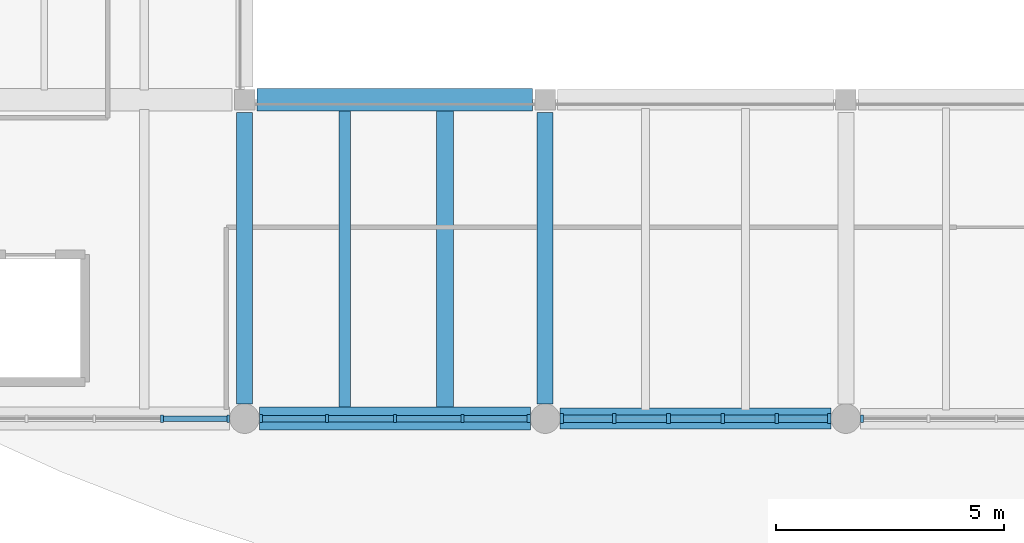
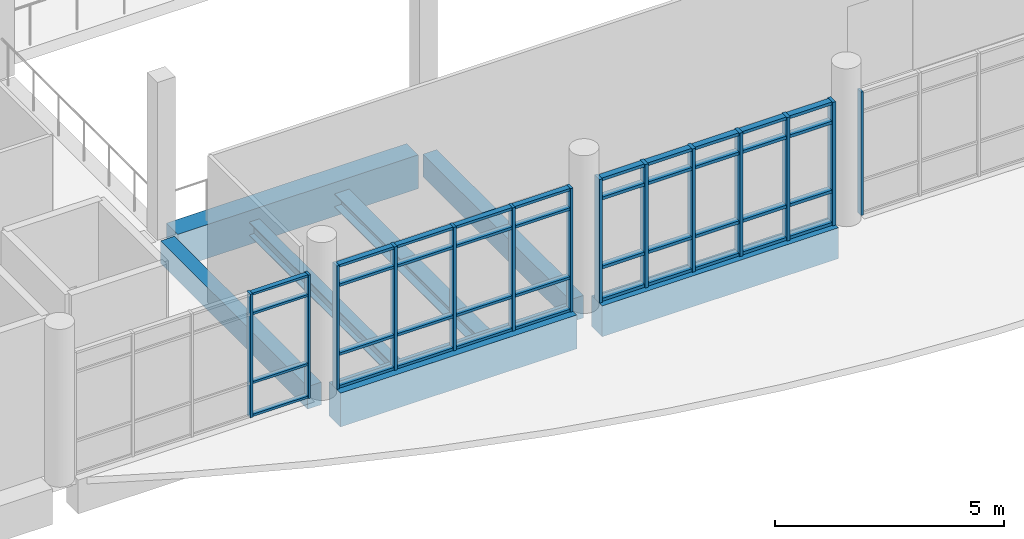
# One storey, part 8 of 92: 54 members, 7 beams, 4 elements without a shape of their own.
"""IFC4 building model written with IfcOpenShell, lengths in metres."""

from ifc_helpers import new_model, si_unit, direction, frame, origin, origin_2d, place, context, subcontext, project, spatial, rectangle, i_section, extrude, material, material_profile, profile_set, type_object, element, aggregate, save


model = new_model("IFC4")

# Units and contexts
model_context = context("Model", 3, precision=1e-05, world=origin(), true_north=direction((0.0, 1.0)))
body_context = subcontext(model_context, "Body", "Model", "MODEL_VIEW")
ifc_project = project(units=[si_unit("LENGTHUNIT", "METRE"), si_unit("AREAUNIT", "SQUARE_METRE"), si_unit("VOLUMEUNIT", "CUBIC_METRE"), si_unit("PLANEANGLEUNIT", "RADIAN"), si_unit("MASSUNIT", "GRAM", prefix="KILO")], contexts=[model_context])

# Site, building, storey
site_placement = place(None, origin())
site = spatial("IfcSite", under=ifc_project, at=site_placement, CompositionType="ELEMENT")
building_placement = place(site_placement, origin())
building = spatial("IfcBuilding", under=site, at=building_placement, Name="Ciguamira Faculty of Natural Sciences", CompositionType="ELEMENT")
storey_placement = place(building_placement, frame((0.0, 0.0, 16.800048828125)))
storey = spatial("IfcBuildingStorey", under=building, at=storey_placement, Name="L04", CompositionType="ELEMENT", Elevation=16.800048828125)

# Curtain wall, members
ifc_material_1 = material(Name="Anodized aluminium curtain wall", Category="aluminium")
curtain_wall_type_1 = type_object("IfcCurtainWallType", Name="CurtainWall_CW-10", PredefinedType="USERDEFINED", material=ifc_material_1)
curtain_wall_1_placement = place(storey_placement, origin())
curtain_wall_1 = element("IfcCurtainWall", 1, at=curtain_wall_1_placement, inside=storey, type_object=curtain_wall_type_1, Name="L04 unitised curtain wall 0106", ObjectType="UNITISED CURTAIN WALL", PredefinedType="USERDEFINED")
ifc_material_2 = material(Name="Anodized aluminium mullion", Category="aluminium")
ifc_material_profile_1 = material_profile(ifc_material_2, rectangle(XDim=0.06005859375, YDim=0.159912109375, at=origin_2d()), Name="ALU-MUL-60X160")
ifc_profile_set_1 = profile_set([ifc_material_profile_1], Name="Anodized aluminium mullion")
member_type_1 = type_object("IfcMemberType", Name="CWMullion_CWM-01", PredefinedType="MULLION", material=ifc_profile_set_1)
member_1_placement = place(storey_placement, frame((68.6875, 10.0, 0.0), z_axis=(0.0, 0.0, 1.0), x_axis=(1.0, 0.0, 0.0)))
member_1 = element("IfcMember", 2, at=member_1_placement, type_object=member_type_1, Name="CW-10 mullion 4", PredefinedType="MULLION", context=body_context, shape_type="SweptSolid", body=[
    extrude(rectangle(XDim=0.06005859375, YDim=0.159912109375, at=origin_2d()), origin(), (0.0, 0.0, 1.0), 3.284912109375),
])
member_2_placement = place(storey_placement, frame((70.14501953125, 10.0, 0.0), z_axis=(0.0, 0.0, 1.0), x_axis=(1.0, 0.0, 0.0)))
member_2 = element("IfcMember", 3, at=member_2_placement, type_object=member_type_1, Name="CW-10 mullion 5", PredefinedType="MULLION", context=body_context, shape_type="SweptSolid", body=[
    extrude(rectangle(XDim=0.06005859375, YDim=0.159912109375, at=origin_2d()), origin(), (0.0, 0.0, 1.0), 3.284912109375),
])

# Curtain wall, member
curtain_wall_type_2 = type_object("IfcCurtainWallType", Name="CurtainWall_CW-01", PredefinedType="USERDEFINED", material=ifc_material_1)
curtain_wall_2_placement = place(storey_placement, origin())
curtain_wall_2 = element("IfcCurtainWall", 4, at=curtain_wall_2_placement, inside=storey, type_object=curtain_wall_type_2, Name="L04 unitised curtain wall 0109", ObjectType="UNITISED CURTAIN WALL", PredefinedType="USERDEFINED")
member_3_placement = place(storey_placement, frame((84.054931640625, 10.0, 0.0), z_axis=(0.0, 0.0, 1.0), x_axis=(1.0, 0.0, 0.0)))
member_3 = element("IfcMember", 5, at=member_3_placement, type_object=member_type_1, Name="CW-01 mullion 1", PredefinedType="MULLION", context=body_context, shape_type="SweptSolid", body=[
    extrude(rectangle(XDim=0.06005859375, YDim=0.159912109375, at=origin_2d()), origin(), (0.0, 0.0, 1.0), 3.284912109375),
])
aggregate(curtain_wall_2, [member_3])

# Curtain wall, members
curtain_wall_type_3 = type_object("IfcCurtainWallType", Name="CurtainWall_CW-11", PredefinedType="USERDEFINED", material=ifc_material_1)
curtain_wall_3_placement = place(storey_placement, origin())
curtain_wall_3 = element("IfcCurtainWall", 6, at=curtain_wall_3_placement, inside=storey, type_object=curtain_wall_type_3, Name="L04 unitised curtain wall 0107", ObjectType="UNITISED CURTAIN WALL", PredefinedType="USERDEFINED")
ifc_material_profile_2 = material_profile(ifc_material_2, rectangle(XDim=0.070068359375, YDim=0.179931640625, at=origin_2d()), Name="ALU-MUL-70X180")
ifc_profile_set_2 = profile_set([ifc_material_profile_2], Name="Anodized aluminium mullion")
member_type_2 = type_object("IfcMemberType", Name="CWMullion_CWM-02", PredefinedType="MULLION", material=ifc_profile_set_2)
member_4_placement = place(storey_placement, frame((70.860107421875, 10.0, 0.0), z_axis=(0.0, 0.0, 1.0), x_axis=(1.0, 0.0, 0.0)))
member_4 = element("IfcMember", 7, at=member_4_placement, type_object=member_type_2, Name="CW-11 mullion 1", PredefinedType="MULLION", context=body_context, shape_type="SweptSolid", body=[
    extrude(rectangle(XDim=0.070068359375, YDim=0.179931640625, at=origin_2d()), origin(), (0.0, 0.0, 1.0), 3.284912109375),
])
member_5_placement = place(storey_placement, frame((72.3125, 10.0, 0.0), z_axis=(0.0, 0.0, 1.0), x_axis=(1.0, 0.0, 0.0)))
member_5 = element("IfcMember", 8, at=member_5_placement, type_object=member_type_2, Name="CW-11 mullion 2", PredefinedType="MULLION", context=body_context, shape_type="SweptSolid", body=[
    extrude(rectangle(XDim=0.070068359375, YDim=0.179931640625, at=origin_2d()), origin(), (0.0, 0.0, 1.0), 3.284912109375),
])
member_6_placement = place(storey_placement, frame((73.800048828125, 10.0, 0.0), z_axis=(0.0, 0.0, 1.0), x_axis=(1.0, 0.0, 0.0)))
member_6 = element("IfcMember", 9, at=member_6_placement, type_object=member_type_2, Name="CW-11 mullion 3", PredefinedType="MULLION", context=body_context, shape_type="SweptSolid", body=[
    extrude(rectangle(XDim=0.070068359375, YDim=0.179931640625, at=origin_2d()), origin(), (0.0, 0.0, 1.0), 3.284912109375),
])
member_7_placement = place(storey_placement, frame((75.28759765625, 10.0, 0.0), z_axis=(0.0, 0.0, 1.0), x_axis=(1.0, 0.0, 0.0)))
member_7 = element("IfcMember", 10, at=member_7_placement, type_object=member_type_2, Name="CW-11 mullion 4", PredefinedType="MULLION", context=body_context, shape_type="SweptSolid", body=[
    extrude(rectangle(XDim=0.070068359375, YDim=0.179931640625, at=origin_2d()), origin(), (0.0, 0.0, 1.0), 3.284912109375),
])
member_8_placement = place(storey_placement, frame((76.739990234375, 10.0, 0.0), z_axis=(0.0, 0.0, 1.0), x_axis=(1.0, 0.0, 0.0)))
member_8 = element("IfcMember", 11, at=member_8_placement, type_object=member_type_2, Name="CW-11 mullion 5", PredefinedType="MULLION", context=body_context, shape_type="SweptSolid", body=[
    extrude(rectangle(XDim=0.070068359375, YDim=0.179931640625, at=origin_2d()), origin(), (0.0, 0.0, 1.0), 3.284912109375),
])

curtain_wall_type_4 = type_object("IfcCurtainWallType", Name="CurtainWall_CW-12", PredefinedType="USERDEFINED", material=ifc_material_1)
curtain_wall_4_placement = place(storey_placement, origin())
curtain_wall_4 = element("IfcCurtainWall", 12, at=curtain_wall_4_placement, inside=storey, type_object=curtain_wall_type_4, Name="L04 unitised curtain wall 0108", ObjectType="UNITISED CURTAIN WALL", PredefinedType="USERDEFINED")
ifc_material_profile_3 = material_profile(ifc_material_2, rectangle(XDim=0.080078125, YDim=0.219970703125, at=origin_2d()), Name="ALU-MUL-80X220")
ifc_profile_set_3 = profile_set([ifc_material_profile_3], Name="Anodized aluminium mullion")
member_type_3 = type_object("IfcMemberType", Name="CWMullion_CWM-03", PredefinedType="MULLION", material=ifc_profile_set_3)
member_9_placement = place(storey_placement, frame((77.465087890625, 10.0, 0.0), z_axis=(0.0, 0.0, 1.0), x_axis=(1.0, 0.0, 0.0)))
member_9 = element("IfcMember", 13, at=member_9_placement, type_object=member_type_3, Name="CW-12 mullion 1", PredefinedType="MULLION", context=body_context, shape_type="SweptSolid", body=[
    extrude(rectangle(XDim=0.080078125, YDim=0.219970703125, at=origin_2d()), origin(), (0.0, 0.0, 1.0), 3.284912109375),
])
member_10_placement = place(storey_placement, frame((78.614990234375, 10.0, 0.0), z_axis=(0.0, 0.0, 1.0), x_axis=(1.0, 0.0, 0.0)))
member_10 = element("IfcMember", 14, at=member_10_placement, type_object=member_type_3, Name="CW-12 mullion 2", PredefinedType="MULLION", context=body_context, shape_type="SweptSolid", body=[
    extrude(rectangle(XDim=0.080078125, YDim=0.219970703125, at=origin_2d()), origin(), (0.0, 0.0, 1.0), 3.284912109375),
])
member_11_placement = place(storey_placement, frame((79.804931640625, 10.0, 0.0), z_axis=(0.0, 0.0, 1.0), x_axis=(1.0, 0.0, 0.0)))
member_11 = element("IfcMember", 15, at=member_11_placement, type_object=member_type_3, Name="CW-12 mullion 3", PredefinedType="MULLION", context=body_context, shape_type="SweptSolid", body=[
    extrude(rectangle(XDim=0.080078125, YDim=0.219970703125, at=origin_2d()), origin(), (0.0, 0.0, 1.0), 3.284912109375),
])
member_12_placement = place(storey_placement, frame((80.9951171875, 10.0, 0.0), z_axis=(0.0, 0.0, 1.0), x_axis=(1.0, 0.0, 0.0)))
member_12 = element("IfcMember", 16, at=member_12_placement, type_object=member_type_3, Name="CW-12 mullion 4", PredefinedType="MULLION", context=body_context, shape_type="SweptSolid", body=[
    extrude(rectangle(XDim=0.080078125, YDim=0.219970703125, at=origin_2d()), origin(), (0.0, 0.0, 1.0), 3.284912109375),
])
member_13_placement = place(storey_placement, frame((82.18505859375, 10.0, 0.0), z_axis=(0.0, 0.0, 1.0), x_axis=(1.0, 0.0, 0.0)))
member_13 = element("IfcMember", 17, at=member_13_placement, type_object=member_type_3, Name="CW-12 mullion 5", PredefinedType="MULLION", context=body_context, shape_type="SweptSolid", body=[
    extrude(rectangle(XDim=0.080078125, YDim=0.219970703125, at=origin_2d()), origin(), (0.0, 0.0, 1.0), 3.284912109375),
])
member_14_placement = place(storey_placement, frame((83.3349609375, 10.0, 0.0), z_axis=(0.0, 0.0, 1.0), x_axis=(1.0, 0.0, 0.0)))
member_14 = element("IfcMember", 18, at=member_14_placement, type_object=member_type_3, Name="CW-12 mullion 6", PredefinedType="MULLION", context=body_context, shape_type="SweptSolid", body=[
    extrude(rectangle(XDim=0.080078125, YDim=0.219970703125, at=origin_2d()), origin(), (0.0, 0.0, 1.0), 3.284912109375),
])

# Member
ifc_material_3 = material(Name="Anodized aluminium transom", Category="aluminium")
ifc_material_profile_4 = material_profile(ifc_material_3, rectangle(XDim=0.06005859375, YDim=0.1201171875, at=origin_2d()), Name="ALU-TRN-60X120")
ifc_profile_set_4 = profile_set([ifc_material_profile_4], Name="Anodized aluminium transom")
member_type_4 = type_object("IfcMemberType", Name="CWTransom_CWT-01", PredefinedType="USERDEFINED", material=ifc_profile_set_4)
member_15_placement = place(storey_placement, frame((68.717529296875, 10.0, 0.030029296875), z_axis=(1.0, 0.0, 0.0), x_axis=(0.0, 0.0, 1.0)))
member_15 = element("IfcMember", 19, at=member_15_placement, type_object=member_type_4, Name="CW-10 transom 4.1", ObjectType="TRANSOM", PredefinedType="USERDEFINED", context=body_context, shape_type="SweptSolid", body=[
    extrude(rectangle(XDim=0.06005859375, YDim=0.1201171875, at=origin_2d()), origin(), (0.0, 0.0, 1.0), 1.3974609375),
])

member_16_placement = place(storey_placement, frame((68.717529296875, 10.0, 0.89990234375), z_axis=(1.0, 0.0, 0.0), x_axis=(0.0, 0.0, 1.0)))
member_16 = element("IfcMember", 20, at=member_16_placement, type_object=member_type_4, Name="CW-10 transom 4.2", ObjectType="TRANSOM", PredefinedType="USERDEFINED", context=body_context, shape_type="SweptSolid", body=[
    extrude(rectangle(XDim=0.06005859375, YDim=0.1201171875, at=origin_2d()), origin(), (0.0, 0.0, 1.0), 1.3974609375),
])

member_17_placement = place(storey_placement, frame((68.717529296875, 10.0, 2.73486328125), z_axis=(1.0, 0.0, 0.0), x_axis=(0.0, 0.0, 1.0)))
member_17 = element("IfcMember", 21, at=member_17_placement, type_object=member_type_4, Name="CW-10 transom 4.3", ObjectType="TRANSOM", PredefinedType="USERDEFINED", context=body_context, shape_type="SweptSolid", body=[
    extrude(rectangle(XDim=0.06005859375, YDim=0.1201171875, at=origin_2d()), origin(), (0.0, 0.0, 1.0), 1.3974609375),
])

member_18_placement = place(storey_placement, frame((68.717529296875, 10.0, 3.2548828125), z_axis=(1.0, 0.0, 0.0), x_axis=(0.0, 0.0, 1.0)))
member_18 = element("IfcMember", 22, at=member_18_placement, type_object=member_type_4, Name="CW-10 transom 4.4", ObjectType="TRANSOM", PredefinedType="USERDEFINED", context=body_context, shape_type="SweptSolid", body=[
    extrude(rectangle(XDim=0.06005859375, YDim=0.1201171875, at=origin_2d()), origin(), (0.0, 0.0, 1.0), 1.3974609375),
])

aggregate(curtain_wall_1, [member_1, member_2, member_15, member_16, member_17, member_18])

ifc_material_profile_5 = material_profile(ifc_material_3, rectangle(XDim=0.070068359375, YDim=0.139892578125, at=origin_2d()), Name="ALU-TRN-70X140")
ifc_profile_set_5 = profile_set([ifc_material_profile_5], Name="Anodized aluminium transom")
member_type_5 = type_object("IfcMemberType", Name="CWTransom_CWT-02", PredefinedType="USERDEFINED", material=ifc_profile_set_5)
member_19_placement = place(storey_placement, frame((70.89501953125, 10.0, 0.034912109375), z_axis=(1.0, 0.0, 0.0), x_axis=(0.0, 0.0, 1.0)))
member_19 = element("IfcMember", 23, at=member_19_placement, type_object=member_type_5, Name="CW-11 transom 1.1", ObjectType="TRANSOM", PredefinedType="USERDEFINED", context=body_context, shape_type="SweptSolid", body=[
    extrude(rectangle(XDim=0.070068359375, YDim=0.139892578125, at=origin_2d()), origin(), (0.0, 0.0, 1.0), 1.382568359375),
])

member_20_placement = place(storey_placement, frame((70.89501953125, 10.0, 0.89990234375), z_axis=(1.0, 0.0, 0.0), x_axis=(0.0, 0.0, 1.0)))
member_20 = element("IfcMember", 24, at=member_20_placement, type_object=member_type_5, Name="CW-11 transom 1.2", ObjectType="TRANSOM", PredefinedType="USERDEFINED", context=body_context, shape_type="SweptSolid", body=[
    extrude(rectangle(XDim=0.070068359375, YDim=0.139892578125, at=origin_2d()), origin(), (0.0, 0.0, 1.0), 1.382568359375),
])

member_21_placement = place(storey_placement, frame((70.89501953125, 10.0, 2.73486328125), z_axis=(1.0, 0.0, 0.0), x_axis=(0.0, 0.0, 1.0)))
member_21 = element("IfcMember", 25, at=member_21_placement, type_object=member_type_5, Name="CW-11 transom 1.3", ObjectType="TRANSOM", PredefinedType="USERDEFINED", context=body_context, shape_type="SweptSolid", body=[
    extrude(rectangle(XDim=0.070068359375, YDim=0.139892578125, at=origin_2d()), origin(), (0.0, 0.0, 1.0), 1.382568359375),
])

member_22_placement = place(storey_placement, frame((70.89501953125, 10.0, 3.25), z_axis=(1.0, 0.0, 0.0), x_axis=(0.0, 0.0, 1.0)))
member_22 = element("IfcMember", 26, at=member_22_placement, type_object=member_type_5, Name="CW-11 transom 1.4", ObjectType="TRANSOM", PredefinedType="USERDEFINED", context=body_context, shape_type="SweptSolid", body=[
    extrude(rectangle(XDim=0.070068359375, YDim=0.139892578125, at=origin_2d()), origin(), (0.0, 0.0, 1.0), 1.382568359375),
])

member_23_placement = place(storey_placement, frame((72.347412109375, 10.0, 0.034912109375), z_axis=(1.0, 0.0, 0.0), x_axis=(0.0, 0.0, 1.0)))
member_23 = element("IfcMember", 27, at=member_23_placement, type_object=member_type_5, Name="CW-11 transom 2.1", ObjectType="TRANSOM", PredefinedType="USERDEFINED", context=body_context, shape_type="SweptSolid", body=[
    extrude(rectangle(XDim=0.070068359375, YDim=0.139892578125, at=origin_2d()), origin(), (0.0, 0.0, 1.0), 1.41748046875),
])

member_24_placement = place(storey_placement, frame((72.347412109375, 10.0, 0.89990234375), z_axis=(1.0, 0.0, 0.0), x_axis=(0.0, 0.0, 1.0)))
member_24 = element("IfcMember", 28, at=member_24_placement, type_object=member_type_5, Name="CW-11 transom 2.2", ObjectType="TRANSOM", PredefinedType="USERDEFINED", context=body_context, shape_type="SweptSolid", body=[
    extrude(rectangle(XDim=0.070068359375, YDim=0.139892578125, at=origin_2d()), origin(), (0.0, 0.0, 1.0), 1.41748046875),
])

member_25_placement = place(storey_placement, frame((72.347412109375, 10.0, 2.73486328125), z_axis=(1.0, 0.0, 0.0), x_axis=(0.0, 0.0, 1.0)))
member_25 = element("IfcMember", 29, at=member_25_placement, type_object=member_type_5, Name="CW-11 transom 2.3", ObjectType="TRANSOM", PredefinedType="USERDEFINED", context=body_context, shape_type="SweptSolid", body=[
    extrude(rectangle(XDim=0.070068359375, YDim=0.139892578125, at=origin_2d()), origin(), (0.0, 0.0, 1.0), 1.41748046875),
])

member_26_placement = place(storey_placement, frame((72.347412109375, 10.0, 3.25), z_axis=(1.0, 0.0, 0.0), x_axis=(0.0, 0.0, 1.0)))
member_26 = element("IfcMember", 30, at=member_26_placement, type_object=member_type_5, Name="CW-11 transom 2.4", ObjectType="TRANSOM", PredefinedType="USERDEFINED", context=body_context, shape_type="SweptSolid", body=[
    extrude(rectangle(XDim=0.070068359375, YDim=0.139892578125, at=origin_2d()), origin(), (0.0, 0.0, 1.0), 1.41748046875),
])

member_27_placement = place(storey_placement, frame((73.8349609375, 10.0, 0.034912109375), z_axis=(1.0, 0.0, 0.0), x_axis=(0.0, 0.0, 1.0)))
member_27 = element("IfcMember", 31, at=member_27_placement, type_object=member_type_5, Name="CW-11 transom 3.1", ObjectType="TRANSOM", PredefinedType="USERDEFINED", context=body_context, shape_type="SweptSolid", body=[
    extrude(rectangle(XDim=0.070068359375, YDim=0.139892578125, at=origin_2d()), origin(), (0.0, 0.0, 1.0), 1.41748046875),
])

member_28_placement = place(storey_placement, frame((73.8349609375, 10.0, 0.89990234375), z_axis=(1.0, 0.0, 0.0), x_axis=(0.0, 0.0, 1.0)))
member_28 = element("IfcMember", 32, at=member_28_placement, type_object=member_type_5, Name="CW-11 transom 3.2", ObjectType="TRANSOM", PredefinedType="USERDEFINED", context=body_context, shape_type="SweptSolid", body=[
    extrude(rectangle(XDim=0.070068359375, YDim=0.139892578125, at=origin_2d()), origin(), (0.0, 0.0, 1.0), 1.41748046875),
])

member_29_placement = place(storey_placement, frame((73.8349609375, 10.0, 2.73486328125), z_axis=(1.0, 0.0, 0.0), x_axis=(0.0, 0.0, 1.0)))
member_29 = element("IfcMember", 33, at=member_29_placement, type_object=member_type_5, Name="CW-11 transom 3.3", ObjectType="TRANSOM", PredefinedType="USERDEFINED", context=body_context, shape_type="SweptSolid", body=[
    extrude(rectangle(XDim=0.070068359375, YDim=0.139892578125, at=origin_2d()), origin(), (0.0, 0.0, 1.0), 1.41748046875),
])

member_30_placement = place(storey_placement, frame((73.8349609375, 10.0, 3.25), z_axis=(1.0, 0.0, 0.0), x_axis=(0.0, 0.0, 1.0)))
member_30 = element("IfcMember", 34, at=member_30_placement, type_object=member_type_5, Name="CW-11 transom 3.4", ObjectType="TRANSOM", PredefinedType="USERDEFINED", context=body_context, shape_type="SweptSolid", body=[
    extrude(rectangle(XDim=0.070068359375, YDim=0.139892578125, at=origin_2d()), origin(), (0.0, 0.0, 1.0), 1.41748046875),
])

member_31_placement = place(storey_placement, frame((75.322509765625, 10.0, 0.034912109375), z_axis=(1.0, 0.0, 0.0), x_axis=(0.0, 0.0, 1.0)))
member_31 = element("IfcMember", 35, at=member_31_placement, type_object=member_type_5, Name="CW-11 transom 4.1", ObjectType="TRANSOM", PredefinedType="USERDEFINED", context=body_context, shape_type="SweptSolid", body=[
    extrude(rectangle(XDim=0.070068359375, YDim=0.139892578125, at=origin_2d()), origin(), (0.0, 0.0, 1.0), 1.382568359375),
])

member_32_placement = place(storey_placement, frame((75.322509765625, 10.0, 0.89990234375), z_axis=(1.0, 0.0, 0.0), x_axis=(0.0, 0.0, 1.0)))
member_32 = element("IfcMember", 36, at=member_32_placement, type_object=member_type_5, Name="CW-11 transom 4.2", ObjectType="TRANSOM", PredefinedType="USERDEFINED", context=body_context, shape_type="SweptSolid", body=[
    extrude(rectangle(XDim=0.070068359375, YDim=0.139892578125, at=origin_2d()), origin(), (0.0, 0.0, 1.0), 1.382568359375),
])

member_33_placement = place(storey_placement, frame((75.322509765625, 10.0, 2.73486328125), z_axis=(1.0, 0.0, 0.0), x_axis=(0.0, 0.0, 1.0)))
member_33 = element("IfcMember", 37, at=member_33_placement, type_object=member_type_5, Name="CW-11 transom 4.3", ObjectType="TRANSOM", PredefinedType="USERDEFINED", context=body_context, shape_type="SweptSolid", body=[
    extrude(rectangle(XDim=0.070068359375, YDim=0.139892578125, at=origin_2d()), origin(), (0.0, 0.0, 1.0), 1.382568359375),
])

member_34_placement = place(storey_placement, frame((75.322509765625, 10.0, 3.25), z_axis=(1.0, 0.0, 0.0), x_axis=(0.0, 0.0, 1.0)))
member_34 = element("IfcMember", 38, at=member_34_placement, type_object=member_type_5, Name="CW-11 transom 4.4", ObjectType="TRANSOM", PredefinedType="USERDEFINED", context=body_context, shape_type="SweptSolid", body=[
    extrude(rectangle(XDim=0.070068359375, YDim=0.139892578125, at=origin_2d()), origin(), (0.0, 0.0, 1.0), 1.382568359375),
])

aggregate(curtain_wall_3, [member_4, member_5, member_6, member_7, member_8, member_19, member_20, member_21, member_22, member_23, member_24, member_25, member_26, member_27, member_28, member_29, member_30, member_31, member_32, member_33, member_34])

ifc_material_profile_6 = material_profile(ifc_material_3, rectangle(XDim=0.080078125, YDim=0.159912109375, at=origin_2d()), Name="ALU-TRN-80X160")
ifc_profile_set_6 = profile_set([ifc_material_profile_6], Name="Anodized aluminium transom")
member_type_6 = type_object("IfcMemberType", Name="CWTransom_CWT-03", PredefinedType="USERDEFINED", material=ifc_profile_set_6)
member_35_placement = place(storey_placement, frame((77.5048828125, 10.0, 0.0400390625), z_axis=(1.0, 0.0, 0.0), x_axis=(0.0, 0.0, 1.0)))
member_35 = element("IfcMember", 39, at=member_35_placement, type_object=member_type_6, Name="CW-12 transom 1.1", ObjectType="TRANSOM", PredefinedType="USERDEFINED", context=body_context, shape_type="SweptSolid", body=[
    extrude(rectangle(XDim=0.080078125, YDim=0.159912109375, at=origin_2d()), origin(), (0.0, 0.0, 1.0), 1.070068359375),
])

member_36_placement = place(storey_placement, frame((77.5048828125, 10.0, 0.89990234375), z_axis=(1.0, 0.0, 0.0), x_axis=(0.0, 0.0, 1.0)))
member_36 = element("IfcMember", 40, at=member_36_placement, type_object=member_type_6, Name="CW-12 transom 1.2", ObjectType="TRANSOM", PredefinedType="USERDEFINED", context=body_context, shape_type="SweptSolid", body=[
    extrude(rectangle(XDim=0.080078125, YDim=0.159912109375, at=origin_2d()), origin(), (0.0, 0.0, 1.0), 1.070068359375),
])

member_37_placement = place(storey_placement, frame((77.5048828125, 10.0, 2.73486328125), z_axis=(1.0, 0.0, 0.0), x_axis=(0.0, 0.0, 1.0)))
member_37 = element("IfcMember", 41, at=member_37_placement, type_object=member_type_6, Name="CW-12 transom 1.3", ObjectType="TRANSOM", PredefinedType="USERDEFINED", context=body_context, shape_type="SweptSolid", body=[
    extrude(rectangle(XDim=0.080078125, YDim=0.159912109375, at=origin_2d()), origin(), (0.0, 0.0, 1.0), 1.070068359375),
])

member_38_placement = place(storey_placement, frame((77.5048828125, 10.0, 3.244873046875), z_axis=(1.0, 0.0, 0.0), x_axis=(0.0, 0.0, 1.0)))
member_38 = element("IfcMember", 42, at=member_38_placement, type_object=member_type_6, Name="CW-12 transom 1.4", ObjectType="TRANSOM", PredefinedType="USERDEFINED", context=body_context, shape_type="SweptSolid", body=[
    extrude(rectangle(XDim=0.080078125, YDim=0.159912109375, at=origin_2d()), origin(), (0.0, 0.0, 1.0), 1.070068359375),
])

member_39_placement = place(storey_placement, frame((78.655029296875, 10.0, 0.0400390625), z_axis=(1.0, 0.0, 0.0), x_axis=(0.0, 0.0, 1.0)))
member_39 = element("IfcMember", 43, at=member_39_placement, type_object=member_type_6, Name="CW-12 transom 2.1", ObjectType="TRANSOM", PredefinedType="USERDEFINED", context=body_context, shape_type="SweptSolid", body=[
    extrude(rectangle(XDim=0.080078125, YDim=0.159912109375, at=origin_2d()), origin(), (0.0, 0.0, 1.0), 1.10986328125),
])

member_40_placement = place(storey_placement, frame((78.655029296875, 10.0, 0.89990234375), z_axis=(1.0, 0.0, 0.0), x_axis=(0.0, 0.0, 1.0)))
member_40 = element("IfcMember", 44, at=member_40_placement, type_object=member_type_6, Name="CW-12 transom 2.2", ObjectType="TRANSOM", PredefinedType="USERDEFINED", context=body_context, shape_type="SweptSolid", body=[
    extrude(rectangle(XDim=0.080078125, YDim=0.159912109375, at=origin_2d()), origin(), (0.0, 0.0, 1.0), 1.10986328125),
])

member_41_placement = place(storey_placement, frame((78.655029296875, 10.0, 2.73486328125), z_axis=(1.0, 0.0, 0.0), x_axis=(0.0, 0.0, 1.0)))
member_41 = element("IfcMember", 45, at=member_41_placement, type_object=member_type_6, Name="CW-12 transom 2.3", ObjectType="TRANSOM", PredefinedType="USERDEFINED", context=body_context, shape_type="SweptSolid", body=[
    extrude(rectangle(XDim=0.080078125, YDim=0.159912109375, at=origin_2d()), origin(), (0.0, 0.0, 1.0), 1.10986328125),
])

member_42_placement = place(storey_placement, frame((78.655029296875, 10.0, 3.244873046875), z_axis=(1.0, 0.0, 0.0), x_axis=(0.0, 0.0, 1.0)))
member_42 = element("IfcMember", 46, at=member_42_placement, type_object=member_type_6, Name="CW-12 transom 2.4", ObjectType="TRANSOM", PredefinedType="USERDEFINED", context=body_context, shape_type="SweptSolid", body=[
    extrude(rectangle(XDim=0.080078125, YDim=0.159912109375, at=origin_2d()), origin(), (0.0, 0.0, 1.0), 1.10986328125),
])

member_43_placement = place(storey_placement, frame((79.844970703125, 10.0, 0.0400390625), z_axis=(1.0, 0.0, 0.0), x_axis=(0.0, 0.0, 1.0)))
member_43 = element("IfcMember", 47, at=member_43_placement, type_object=member_type_6, Name="CW-12 transom 3.1", ObjectType="TRANSOM", PredefinedType="USERDEFINED", context=body_context, shape_type="SweptSolid", body=[
    extrude(rectangle(XDim=0.080078125, YDim=0.159912109375, at=origin_2d()), origin(), (0.0, 0.0, 1.0), 1.110107421875),
])

member_44_placement = place(storey_placement, frame((79.844970703125, 10.0, 0.89990234375), z_axis=(1.0, 0.0, 0.0), x_axis=(0.0, 0.0, 1.0)))
member_44 = element("IfcMember", 48, at=member_44_placement, type_object=member_type_6, Name="CW-12 transom 3.2", ObjectType="TRANSOM", PredefinedType="USERDEFINED", context=body_context, shape_type="SweptSolid", body=[
    extrude(rectangle(XDim=0.080078125, YDim=0.159912109375, at=origin_2d()), origin(), (0.0, 0.0, 1.0), 1.110107421875),
])

member_45_placement = place(storey_placement, frame((79.844970703125, 10.0, 2.73486328125), z_axis=(1.0, 0.0, 0.0), x_axis=(0.0, 0.0, 1.0)))
member_45 = element("IfcMember", 49, at=member_45_placement, type_object=member_type_6, Name="CW-12 transom 3.3", ObjectType="TRANSOM", PredefinedType="USERDEFINED", context=body_context, shape_type="SweptSolid", body=[
    extrude(rectangle(XDim=0.080078125, YDim=0.159912109375, at=origin_2d()), origin(), (0.0, 0.0, 1.0), 1.110107421875),
])

member_46_placement = place(storey_placement, frame((79.844970703125, 10.0, 3.244873046875), z_axis=(1.0, 0.0, 0.0), x_axis=(0.0, 0.0, 1.0)))
member_46 = element("IfcMember", 50, at=member_46_placement, type_object=member_type_6, Name="CW-12 transom 3.4", ObjectType="TRANSOM", PredefinedType="USERDEFINED", context=body_context, shape_type="SweptSolid", body=[
    extrude(rectangle(XDim=0.080078125, YDim=0.159912109375, at=origin_2d()), origin(), (0.0, 0.0, 1.0), 1.110107421875),
])

member_47_placement = place(storey_placement, frame((81.034912109375, 10.0, 0.0400390625), z_axis=(1.0, 0.0, 0.0), x_axis=(0.0, 0.0, 1.0)))
member_47 = element("IfcMember", 51, at=member_47_placement, type_object=member_type_6, Name="CW-12 transom 4.1", ObjectType="TRANSOM", PredefinedType="USERDEFINED", context=body_context, shape_type="SweptSolid", body=[
    extrude(rectangle(XDim=0.080078125, YDim=0.159912109375, at=origin_2d()), origin(), (0.0, 0.0, 1.0), 1.110107421875),
])

member_48_placement = place(storey_placement, frame((81.034912109375, 10.0, 0.89990234375), z_axis=(1.0, 0.0, 0.0), x_axis=(0.0, 0.0, 1.0)))
member_48 = element("IfcMember", 52, at=member_48_placement, type_object=member_type_6, Name="CW-12 transom 4.2", ObjectType="TRANSOM", PredefinedType="USERDEFINED", context=body_context, shape_type="SweptSolid", body=[
    extrude(rectangle(XDim=0.080078125, YDim=0.159912109375, at=origin_2d()), origin(), (0.0, 0.0, 1.0), 1.110107421875),
])

member_49_placement = place(storey_placement, frame((81.034912109375, 10.0, 2.73486328125), z_axis=(1.0, 0.0, 0.0), x_axis=(0.0, 0.0, 1.0)))
member_49 = element("IfcMember", 53, at=member_49_placement, type_object=member_type_6, Name="CW-12 transom 4.3", ObjectType="TRANSOM", PredefinedType="USERDEFINED", context=body_context, shape_type="SweptSolid", body=[
    extrude(rectangle(XDim=0.080078125, YDim=0.159912109375, at=origin_2d()), origin(), (0.0, 0.0, 1.0), 1.110107421875),
])

member_50_placement = place(storey_placement, frame((81.034912109375, 10.0, 3.244873046875), z_axis=(1.0, 0.0, 0.0), x_axis=(0.0, 0.0, 1.0)))
member_50 = element("IfcMember", 54, at=member_50_placement, type_object=member_type_6, Name="CW-12 transom 4.4", ObjectType="TRANSOM", PredefinedType="USERDEFINED", context=body_context, shape_type="SweptSolid", body=[
    extrude(rectangle(XDim=0.080078125, YDim=0.159912109375, at=origin_2d()), origin(), (0.0, 0.0, 1.0), 1.110107421875),
])

member_51_placement = place(storey_placement, frame((82.22509765625, 10.0, 0.0400390625), z_axis=(1.0, 0.0, 0.0), x_axis=(0.0, 0.0, 1.0)))
member_51 = element("IfcMember", 55, at=member_51_placement, type_object=member_type_6, Name="CW-12 transom 5.1", ObjectType="TRANSOM", PredefinedType="USERDEFINED", context=body_context, shape_type="SweptSolid", body=[
    extrude(rectangle(XDim=0.080078125, YDim=0.159912109375, at=origin_2d()), origin(), (0.0, 0.0, 1.0), 1.06982421875),
])

member_52_placement = place(storey_placement, frame((82.22509765625, 10.0, 0.89990234375), z_axis=(1.0, 0.0, 0.0), x_axis=(0.0, 0.0, 1.0)))
member_52 = element("IfcMember", 56, at=member_52_placement, type_object=member_type_6, Name="CW-12 transom 5.2", ObjectType="TRANSOM", PredefinedType="USERDEFINED", context=body_context, shape_type="SweptSolid", body=[
    extrude(rectangle(XDim=0.080078125, YDim=0.159912109375, at=origin_2d()), origin(), (0.0, 0.0, 1.0), 1.06982421875),
])

member_53_placement = place(storey_placement, frame((82.22509765625, 10.0, 2.73486328125), z_axis=(1.0, 0.0, 0.0), x_axis=(0.0, 0.0, 1.0)))
member_53 = element("IfcMember", 57, at=member_53_placement, type_object=member_type_6, Name="CW-12 transom 5.3", ObjectType="TRANSOM", PredefinedType="USERDEFINED", context=body_context, shape_type="SweptSolid", body=[
    extrude(rectangle(XDim=0.080078125, YDim=0.159912109375, at=origin_2d()), origin(), (0.0, 0.0, 1.0), 1.06982421875),
])

member_54_placement = place(storey_placement, frame((82.22509765625, 10.0, 3.244873046875), z_axis=(1.0, 0.0, 0.0), x_axis=(0.0, 0.0, 1.0)))
member_54 = element("IfcMember", 58, at=member_54_placement, type_object=member_type_6, Name="CW-12 transom 5.4", ObjectType="TRANSOM", PredefinedType="USERDEFINED", context=body_context, shape_type="SweptSolid", body=[
    extrude(rectangle(XDim=0.080078125, YDim=0.159912109375, at=origin_2d()), origin(), (0.0, 0.0, 1.0), 1.06982421875),
])

aggregate(curtain_wall_4, [member_9, member_10, member_11, member_12, member_13, member_14, member_35, member_36, member_37, member_38, member_39, member_40, member_41, member_42, member_43, member_44, member_45, member_46, member_47, member_48, member_49, member_50, member_51, member_52, member_53, member_54])

# Beams
ifc_material_4 = material(Name="Concrete C40/50", Category="concrete")
ifc_material_profile_7 = material_profile(ifc_material_4, rectangle(XDim=0.5, YDim=0.89990234375, at=origin_2d()), Name="RC-BM-500X900")
ifc_profile_set_7 = profile_set([ifc_material_profile_7], Name="Concrete C40/50")
beam_type_1 = type_object("IfcBeamType", Name="RCBeam_BG-03_RC-BM-500X900", PredefinedType="BEAM", material=ifc_profile_set_7)
beam_1_placement = place(storey_placement, frame((70.824951171875, 10.0, -0.449951171875), z_axis=(1.0, 0.0, 0.0), x_axis=(0.0, 1.0, 0.0)))
element("IfcBeam", 59, at=beam_1_placement, inside=storey, type_object=beam_type_1, Name="L04 RC girder EW-1326", PredefinedType="BEAM", context=body_context, shape_type="SweptSolid", body=[
    extrude(rectangle(XDim=0.5, YDim=0.89990234375, at=origin_2d()), origin(), (0.0, 0.0, 1.0), 5.949951171875),
])
beam_2_placement = place(storey_placement, frame((70.77490234375, 17.0, -0.449951171875), z_axis=(1.0, 0.0, 0.0), x_axis=(0.0, 1.0, 0.0)))
element("IfcBeam", 60, at=beam_2_placement, inside=storey, type_object=beam_type_1, Name="L04 RC girder EW-1337", PredefinedType="BEAM", context=body_context, shape_type="SweptSolid", body=[
    extrude(rectangle(XDim=0.5, YDim=0.89990234375, at=origin_2d()), origin(), (0.0, 0.0, 1.0), 6.050048828125),
])
ifc_material_profile_8 = material_profile(ifc_material_4, rectangle(XDim=0.4599609375, YDim=0.820068359375, at=origin_2d()), Name="RC-BM-460X820")
ifc_profile_set_8 = profile_set([ifc_material_profile_8], Name="Concrete C40/50")
beam_type_2 = type_object("IfcBeamType", Name="RCBeam_BG-04_RC-BM-460X820", PredefinedType="BEAM", material=ifc_profile_set_8)
beam_3_placement = place(storey_placement, frame((77.425048828125, 10.0, -0.41015625), z_axis=(1.0, 0.0, 0.0), x_axis=(0.0, 1.0, 0.0)))
element("IfcBeam", 61, at=beam_3_placement, inside=storey, type_object=beam_type_2, Name="L04 RC girder EW-1327", PredefinedType="BEAM", context=body_context, shape_type="SweptSolid", body=[
    extrude(rectangle(XDim=0.4599609375, YDim=0.820068359375, at=origin_2d()), origin(), (0.0, 0.0, 1.0), 5.949951171875),
])
ifc_material_profile_9 = material_profile(ifc_material_4, rectangle(XDim=0.35009765625, YDim=0.60009765625, at=origin_2d()), Name="RC-BM-350X600")
ifc_profile_set_9 = profile_set([ifc_material_profile_9], Name="Concrete C40/50")
beam_type_3 = type_object("IfcBeamType", Name="RCBeam_BG-11_RC-BM-350X600", PredefinedType="BEAM", material=ifc_profile_set_9)
for number, where, z_axis, x_axis, name in (
    (62, (70.5, 10.324951171875, -0.300048828125), (0.0, 1.0, 0.0), (-1.0, 0.0, 0.0), "L04 girder NS-1399"),
    (63, (77.10009765625, 10.324951171875, -0.300048828125), (0.0, 1.0, 0.0), (-1.0, 0.0, 0.0), "L04 girder NS-1405"),
):
    element("IfcBeam", number, at=place(storey_placement, frame(where, z_axis=z_axis, x_axis=x_axis)), inside=storey, type_object=beam_type_3, Name=name, PredefinedType="BEAM", context=body_context, shape_type="SweptSolid", body=[
        extrude(rectangle(XDim=0.35009765625, YDim=0.60009765625, at=origin_2d()), origin(), (0.0, 0.0, 1.0), 6.400146484375),
    ])
ifc_material_5 = material(Name="Steel ASTM A992 Grade 50", Category="steel")
ifc_material_profile_10 = material_profile(ifc_material_5, i_section(OverallWidth=0.256591796875, OverallDepth=0.36328125, WebThickness=0.012939453125, FlangeThickness=0.021728515625, at=origin_2d()), Name="W14X82")
ifc_profile_set_10 = profile_set([ifc_material_profile_10], Name="Steel ASTM A992 Grade 50")
beam_type_4 = type_object("IfcBeamType", Name="SteelJoist_SJ-15_W14X82", PredefinedType="JOIST", material=ifc_profile_set_10)
beam_4_placement = place(storey_placement, frame((72.699951171875, 10.2099609375, -0.481689453125), z_axis=(0.0, 1.0, 0.0), x_axis=(-1.0, 0.0, 0.0)))
element("IfcBeam", 64, at=beam_4_placement, inside=storey, type_object=beam_type_4, Name="L04 composite steel joist 01292", PredefinedType="JOIST", context=body_context, shape_type="SweptSolid", body=[
    extrude(i_section(OverallWidth=0.256591796875, OverallDepth=0.36328125, WebThickness=0.012939453125, FlangeThickness=0.021728515625, at=origin_2d()), origin(), (0.0, 0.0, 1.0), 6.580078125),
])
ifc_material_profile_11 = material_profile(ifc_material_5, i_section(OverallWidth=0.368408203125, OverallDepth=0.355712890625, WebThickness=0.01123046875, FlangeThickness=0.01806640625, at=origin_2d()), Name="W14X90")
ifc_profile_set_11 = profile_set([ifc_material_profile_11], Name="Steel ASTM A992 Grade 50")
beam_type_5 = type_object("IfcBeamType", Name="SteelJoist_SJ-16_W14X90", PredefinedType="JOIST", material=ifc_profile_set_11)
beam_5_placement = place(storey_placement, frame((74.89990234375, 10.2099609375, -0.477783203125), z_axis=(0.0, 1.0, 0.0), x_axis=(-1.0, 0.0, 0.0)))
element("IfcBeam", 65, at=beam_5_placement, inside=storey, type_object=beam_type_5, Name="L04 composite steel joist 01293", PredefinedType="JOIST", context=body_context, shape_type="SweptSolid", body=[
    extrude(i_section(OverallWidth=0.368408203125, OverallDepth=0.355712890625, WebThickness=0.01123046875, FlangeThickness=0.01806640625, at=origin_2d()), origin(), (0.0, 0.0, 1.0), 6.580078125),
])

save(model, "model.ifc")
